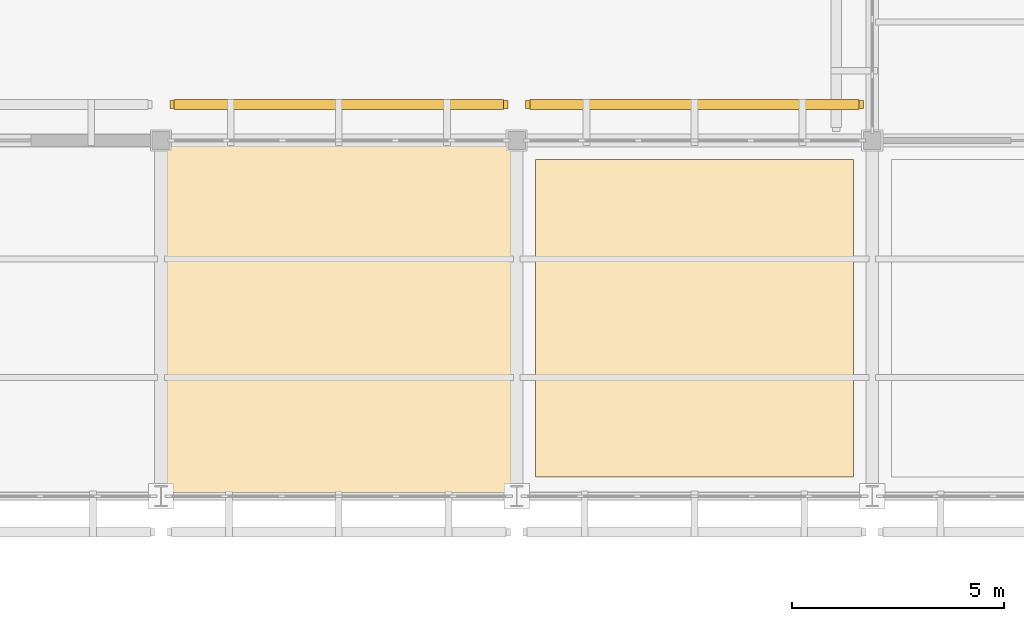
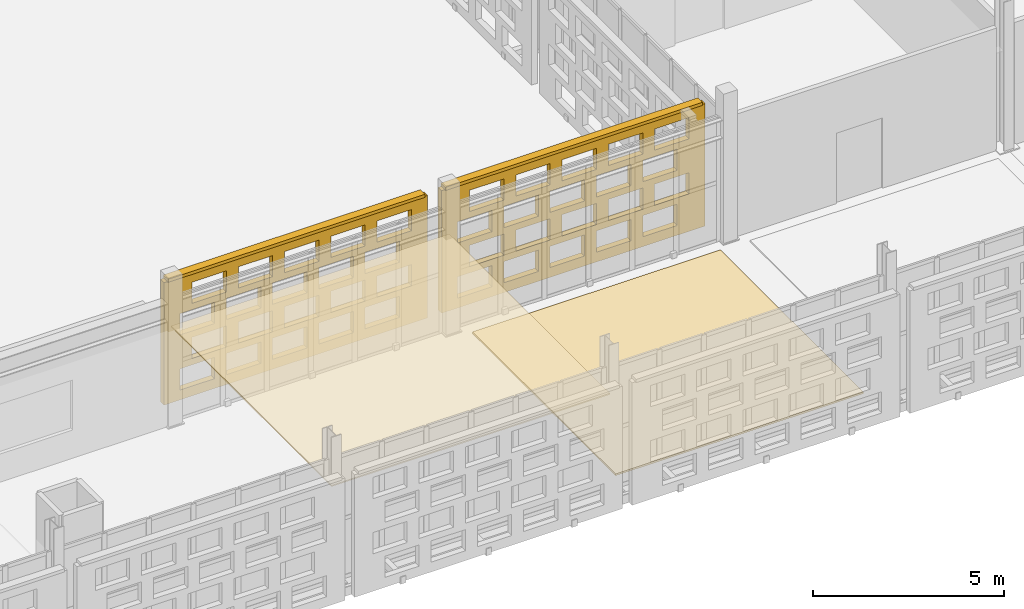
# One storey, part 174 of 203: 4 coverings, 2 shading devices, 40 openings.
"""IFC4 building model written with IfcOpenShell, lengths in metres."""

from ifc_helpers import new_model, si_unit, direction, frame, frame_2d, origin, origin_2d, place, context, subcontext, project, spatial, rectangle, extrude, material, layer, layer_set, type_object, element, save


model = new_model("IFC4")

# Units and contexts
model_context = context("Model", 3, precision=1e-05, world=origin(), true_north=direction((0.0, 1.0)))
body_context = subcontext(model_context, "Body", "Model", "MODEL_VIEW")
ifc_project = project(units=[si_unit("LENGTHUNIT", "METRE"), si_unit("AREAUNIT", "SQUARE_METRE"), si_unit("VOLUMEUNIT", "CUBIC_METRE"), si_unit("PLANEANGLEUNIT", "RADIAN"), si_unit("MASSUNIT", "GRAM", prefix="KILO")], contexts=[model_context])

# Site, building, storey
site_placement = place(None, origin())
site = spatial("IfcSite", under=ifc_project, at=site_placement, CompositionType="ELEMENT")
building_placement = place(site_placement, origin())
building = spatial("IfcBuilding", under=site, at=building_placement, Name="Varnapada Polytechnic", CompositionType="ELEMENT")
storey_placement = place(building_placement, frame((0.0, 0.0, 4.800048828125)))
storey = spatial("IfcBuildingStorey", under=building, at=storey_placement, Name="L01", CompositionType="ELEMENT", Elevation=4.800048828125)

# Coverings
ifc_material_1 = material(Name="End-Grain Timber Studio Block Flooring", Category="wood")
ifc_layer_1 = layer(ifc_material_1, 0.054931640625)
ifc_layer_set_1 = layer_set([ifc_layer_1], Name="End-Grain Timber Studio Block Flooring")
covering_type_1 = type_object("IfcCoveringType", Name="Floor Finish FLR-04", PredefinedType="FLOORING", material=ifc_layer_set_1)
covering_1_placement = place(storey_placement, frame((121.800048828125, 88.199951171875, 0.0), z_axis=(0.0, 0.0, 1.0), x_axis=(1.0, 0.0, 0.0)))
element("IfcCovering", 1, at=covering_1_placement, inside=storey, type_object=covering_type_1, Name="L01 floor finish panel (15,11)", PredefinedType="FLOORING", context=body_context, shape_type="SweptSolid", body=[
    extrude(rectangle(XDim=7.5, YDim=7.5, at=origin_2d()), origin(), (0.0, 0.0, 1.0), 0.054931640625),
])
ifc_material_2 = material(Name="Mineral Fibre Acoustic Ceiling Tile")
ifc_layer_2 = layer(ifc_material_2, 0.0400390625)
ifc_layer_set_2 = layer_set([ifc_layer_2], Name="Mineral Fibre Acoustic Ceiling Tile")
covering_type_2 = type_object("IfcCoveringType", Name="Suspended Ceiling CLG-01", PredefinedType="CEILING", material=ifc_layer_set_2)
covering_2_placement = place(storey_placement, frame((113.39990234375, 88.199951171875, 3.030029296875), z_axis=(0.0, 0.0, 1.0), x_axis=(1.0, 0.0, 0.0)))
element("IfcCovering", 2, at=covering_2_placement, inside=storey, type_object=covering_type_2, Name="L01 suspended acoustic ceiling (14,11)", PredefinedType="CEILING", context=body_context, shape_type="SweptSolid", body=[
    extrude(rectangle(XDim=8.419921875, YDim=8.419921875, at=origin_2d()), origin(), (0.0, 0.0, 1.0), 0.0400390625),
])

# Covering, openings
ifc_material_3 = material(Name="Earth-toned architectural terracotta screen block", Category="masonry")
ifc_layer_3 = layer(ifc_material_3, 0.1201171875)
ifc_layer_set_3 = layer_set([ifc_layer_3], Name="Earth-toned architectural terracotta screen block")
covering_type_3 = type_object("IfcCoveringType", Name="Terracotta Screen Cladding CLD-01", PredefinedType="CLADDING", material=ifc_layer_set_3)
covering_3_placement = place(storey_placement, frame((109.409912109375, 93.25, 0.0), z_axis=(0.0, 0.0, 1.0), x_axis=(1.0, 0.0, 0.0)))
covering_3 = element("IfcCovering", 3, at=covering_3_placement, inside=storey, type_object=covering_type_3, Name="L01 perforated terracotta block screen (93)", PredefinedType="CLADDING", context=body_context, shape_type="SweptSolid", body=[
    extrude(rectangle(XDim=7.97998046875, YDim=0.179931640625, at=frame_2d((3.989990234375, 0.0))), origin(), (0.0, 0.0, 1.0), 3.919921875),
])
opening_1_placement = place(covering_3_placement, frame((0.489990234375, 0.0, 0.313720703125)))
element("IfcOpeningElement", 4, at=opening_1_placement, cuts=covering_3, Name="Screen perforation TBS-L01-092.1", PredefinedType="OPENING", context=body_context, shape_type="SweptSolid", body=[
    extrude(rectangle(XDim=1.0400390625, YDim=0.679931640625, at=frame_2d((0.52001953125, 0.33984375))), frame((0.0, 0.099853515625, 0.0), z_axis=(0.0, -1.0, 0.0), x_axis=(1.0, 0.0, 0.0)), (0.0, 0.0, 1.0), 0.199951171875),
])
opening_2_placement = place(covering_3_placement, frame((1.889892578125, 0.0, 0.313720703125)))
element("IfcOpeningElement", 5, at=opening_2_placement, cuts=covering_3, Name="Screen perforation TBS-L01-092.2", PredefinedType="OPENING", context=body_context, shape_type="SweptSolid", body=[
    extrude(rectangle(XDim=1.0400390625, YDim=0.679931640625, at=frame_2d((0.52001953125, 0.33984375))), frame((0.0, 0.099853515625, 0.0), z_axis=(0.0, -1.0, 0.0), x_axis=(1.0, 0.0, 0.0)), (0.0, 0.0, 1.0), 0.199951171875),
])
opening_3_placement = place(covering_3_placement, frame((3.2900390625, 0.0, 0.313720703125)))
element("IfcOpeningElement", 6, at=opening_3_placement, cuts=covering_3, Name="Screen perforation TBS-L01-092.3", PredefinedType="OPENING", context=body_context, shape_type="SweptSolid", body=[
    extrude(rectangle(XDim=1.0400390625, YDim=0.679931640625, at=frame_2d((0.52001953125, 0.33984375))), frame((0.0, 0.099853515625, 0.0), z_axis=(0.0, -1.0, 0.0), x_axis=(1.0, 0.0, 0.0)), (0.0, 0.0, 1.0), 0.199951171875),
])
opening_4_placement = place(covering_3_placement, frame((4.68994140625, 0.0, 0.313720703125)))
element("IfcOpeningElement", 7, at=opening_4_placement, cuts=covering_3, Name="Screen perforation TBS-L01-092.4", PredefinedType="OPENING", context=body_context, shape_type="SweptSolid", body=[
    extrude(rectangle(XDim=1.0400390625, YDim=0.679931640625, at=frame_2d((0.52001953125, 0.33984375))), frame((0.0, 0.099853515625, 0.0), z_axis=(0.0, -1.0, 0.0), x_axis=(1.0, 0.0, 0.0)), (0.0, 0.0, 1.0), 0.199951171875),
])
opening_5_placement = place(covering_3_placement, frame((6.090087890625, 0.0, 0.313720703125)))
element("IfcOpeningElement", 8, at=opening_5_placement, cuts=covering_3, Name="Screen perforation TBS-L01-092.5", PredefinedType="OPENING", context=body_context, shape_type="SweptSolid", body=[
    extrude(rectangle(XDim=1.0400390625, YDim=0.679931640625, at=frame_2d((0.52001953125, 0.33984375))), frame((0.0, 0.099853515625, 0.0), z_axis=(0.0, -1.0, 0.0), x_axis=(1.0, 0.0, 0.0)), (0.0, 0.0, 1.0), 0.199951171875),
])
opening_6_placement = place(covering_3_placement, frame((0.85009765625, 0.0, 1.195556640625)))
element("IfcOpeningElement", 9, at=opening_6_placement, cuts=covering_3, Name="Screen perforation TBS-L01-092.6", PredefinedType="OPENING", context=body_context, shape_type="SweptSolid", body=[
    extrude(rectangle(XDim=1.0400390625, YDim=0.679931640625, at=frame_2d((0.52001953125, 0.33984375))), frame((0.0, 0.099853515625, 0.0), z_axis=(0.0, -1.0, 0.0), x_axis=(1.0, 0.0, 0.0)), (0.0, 0.0, 1.0), 0.199951171875),
])
opening_7_placement = place(covering_3_placement, frame((2.25, 0.0, 1.195556640625)))
element("IfcOpeningElement", 10, at=opening_7_placement, cuts=covering_3, Name="Screen perforation TBS-L01-092.7", PredefinedType="OPENING", context=body_context, shape_type="SweptSolid", body=[
    extrude(rectangle(XDim=1.0400390625, YDim=0.679931640625, at=frame_2d((0.52001953125, 0.33984375))), frame((0.0, 0.099853515625, 0.0), z_axis=(0.0, -1.0, 0.0), x_axis=(1.0, 0.0, 0.0)), (0.0, 0.0, 1.0), 0.199951171875),
])
opening_8_placement = place(covering_3_placement, frame((3.64990234375, 0.0, 1.195556640625)))
element("IfcOpeningElement", 11, at=opening_8_placement, cuts=covering_3, Name="Screen perforation TBS-L01-092.8", PredefinedType="OPENING", context=body_context, shape_type="SweptSolid", body=[
    extrude(rectangle(XDim=1.0400390625, YDim=0.679931640625, at=frame_2d((0.52001953125, 0.33984375))), frame((0.0, 0.099853515625, 0.0), z_axis=(0.0, -1.0, 0.0), x_axis=(1.0, 0.0, 0.0)), (0.0, 0.0, 1.0), 0.199951171875),
])
opening_9_placement = place(covering_3_placement, frame((5.050048828125, 0.0, 1.195556640625)))
element("IfcOpeningElement", 12, at=opening_9_placement, cuts=covering_3, Name="Screen perforation TBS-L01-092.9", PredefinedType="OPENING", context=body_context, shape_type="SweptSolid", body=[
    extrude(rectangle(XDim=1.0400390625, YDim=0.679931640625, at=frame_2d((0.52001953125, 0.33984375))), frame((0.0, 0.099853515625, 0.0), z_axis=(0.0, -1.0, 0.0), x_axis=(1.0, 0.0, 0.0)), (0.0, 0.0, 1.0), 0.199951171875),
])
opening_10_placement = place(covering_3_placement, frame((6.449951171875, 0.0, 1.195556640625)))
element("IfcOpeningElement", 13, at=opening_10_placement, cuts=covering_3, Name="Screen perforation TBS-L01-092.10", PredefinedType="OPENING", context=body_context, shape_type="SweptSolid", body=[
    extrude(rectangle(XDim=1.0400390625, YDim=0.679931640625, at=frame_2d((0.52001953125, 0.33984375))), frame((0.0, 0.099853515625, 0.0), z_axis=(0.0, -1.0, 0.0), x_axis=(1.0, 0.0, 0.0)), (0.0, 0.0, 1.0), 0.199951171875),
])
opening_11_placement = place(covering_3_placement, frame((0.489990234375, 0.0, 2.07763671875)))
element("IfcOpeningElement", 14, at=opening_11_placement, cuts=covering_3, Name="Screen perforation TBS-L01-092.11", PredefinedType="OPENING", context=body_context, shape_type="SweptSolid", body=[
    extrude(rectangle(XDim=1.0400390625, YDim=0.679931640625, at=frame_2d((0.52001953125, 0.33984375))), frame((0.0, 0.099853515625, 0.0), z_axis=(0.0, -1.0, 0.0), x_axis=(1.0, 0.0, 0.0)), (0.0, 0.0, 1.0), 0.199951171875),
])
opening_12_placement = place(covering_3_placement, frame((1.889892578125, 0.0, 2.07763671875)))
element("IfcOpeningElement", 15, at=opening_12_placement, cuts=covering_3, Name="Screen perforation TBS-L01-092.12", PredefinedType="OPENING", context=body_context, shape_type="SweptSolid", body=[
    extrude(rectangle(XDim=1.0400390625, YDim=0.679931640625, at=frame_2d((0.52001953125, 0.33984375))), frame((0.0, 0.099853515625, 0.0), z_axis=(0.0, -1.0, 0.0), x_axis=(1.0, 0.0, 0.0)), (0.0, 0.0, 1.0), 0.199951171875),
])
opening_13_placement = place(covering_3_placement, frame((3.2900390625, 0.0, 2.07763671875)))
element("IfcOpeningElement", 16, at=opening_13_placement, cuts=covering_3, Name="Screen perforation TBS-L01-092.13", PredefinedType="OPENING", context=body_context, shape_type="SweptSolid", body=[
    extrude(rectangle(XDim=1.0400390625, YDim=0.679931640625, at=frame_2d((0.52001953125, 0.33984375))), frame((0.0, 0.099853515625, 0.0), z_axis=(0.0, -1.0, 0.0), x_axis=(1.0, 0.0, 0.0)), (0.0, 0.0, 1.0), 0.199951171875),
])
opening_14_placement = place(covering_3_placement, frame((4.68994140625, 0.0, 2.07763671875)))
element("IfcOpeningElement", 17, at=opening_14_placement, cuts=covering_3, Name="Screen perforation TBS-L01-092.14", PredefinedType="OPENING", context=body_context, shape_type="SweptSolid", body=[
    extrude(rectangle(XDim=1.0400390625, YDim=0.679931640625, at=frame_2d((0.52001953125, 0.33984375))), frame((0.0, 0.099853515625, 0.0), z_axis=(0.0, -1.0, 0.0), x_axis=(1.0, 0.0, 0.0)), (0.0, 0.0, 1.0), 0.199951171875),
])
opening_15_placement = place(covering_3_placement, frame((6.090087890625, 0.0, 2.07763671875)))
element("IfcOpeningElement", 18, at=opening_15_placement, cuts=covering_3, Name="Screen perforation TBS-L01-092.15", PredefinedType="OPENING", context=body_context, shape_type="SweptSolid", body=[
    extrude(rectangle(XDim=1.0400390625, YDim=0.679931640625, at=frame_2d((0.52001953125, 0.33984375))), frame((0.0, 0.099853515625, 0.0), z_axis=(0.0, -1.0, 0.0), x_axis=(1.0, 0.0, 0.0)), (0.0, 0.0, 1.0), 0.199951171875),
])
opening_16_placement = place(covering_3_placement, frame((0.85009765625, 0.0, 2.959716796875)))
element("IfcOpeningElement", 19, at=opening_16_placement, cuts=covering_3, Name="Screen perforation TBS-L01-092.16", PredefinedType="OPENING", context=body_context, shape_type="SweptSolid", body=[
    extrude(rectangle(XDim=1.0400390625, YDim=0.679931640625, at=frame_2d((0.52001953125, 0.33984375))), frame((0.0, 0.099853515625, 0.0), z_axis=(0.0, -1.0, 0.0), x_axis=(1.0, 0.0, 0.0)), (0.0, 0.0, 1.0), 0.199951171875),
])
opening_17_placement = place(covering_3_placement, frame((2.25, 0.0, 2.959716796875)))
element("IfcOpeningElement", 20, at=opening_17_placement, cuts=covering_3, Name="Screen perforation TBS-L01-092.17", PredefinedType="OPENING", context=body_context, shape_type="SweptSolid", body=[
    extrude(rectangle(XDim=1.0400390625, YDim=0.679931640625, at=frame_2d((0.52001953125, 0.33984375))), frame((0.0, 0.099853515625, 0.0), z_axis=(0.0, -1.0, 0.0), x_axis=(1.0, 0.0, 0.0)), (0.0, 0.0, 1.0), 0.199951171875),
])
opening_18_placement = place(covering_3_placement, frame((3.64990234375, 0.0, 2.959716796875)))
element("IfcOpeningElement", 21, at=opening_18_placement, cuts=covering_3, Name="Screen perforation TBS-L01-092.18", PredefinedType="OPENING", context=body_context, shape_type="SweptSolid", body=[
    extrude(rectangle(XDim=1.0400390625, YDim=0.679931640625, at=frame_2d((0.52001953125, 0.33984375))), frame((0.0, 0.099853515625, 0.0), z_axis=(0.0, -1.0, 0.0), x_axis=(1.0, 0.0, 0.0)), (0.0, 0.0, 1.0), 0.199951171875),
])
opening_19_placement = place(covering_3_placement, frame((5.050048828125, 0.0, 2.959716796875)))
element("IfcOpeningElement", 22, at=opening_19_placement, cuts=covering_3, Name="Screen perforation TBS-L01-092.19", PredefinedType="OPENING", context=body_context, shape_type="SweptSolid", body=[
    extrude(rectangle(XDim=1.0400390625, YDim=0.679931640625, at=frame_2d((0.52001953125, 0.33984375))), frame((0.0, 0.099853515625, 0.0), z_axis=(0.0, -1.0, 0.0), x_axis=(1.0, 0.0, 0.0)), (0.0, 0.0, 1.0), 0.199951171875),
])
opening_20_placement = place(covering_3_placement, frame((6.449951171875, 0.0, 2.959716796875)))
element("IfcOpeningElement", 23, at=opening_20_placement, cuts=covering_3, Name="Screen perforation TBS-L01-092.20", PredefinedType="OPENING", context=body_context, shape_type="SweptSolid", body=[
    extrude(rectangle(XDim=1.0400390625, YDim=0.679931640625, at=frame_2d((0.52001953125, 0.33984375))), frame((0.0, 0.099853515625, 0.0), z_axis=(0.0, -1.0, 0.0), x_axis=(1.0, 0.0, 0.0)), (0.0, 0.0, 1.0), 0.199951171875),
])

covering_4_placement = place(storey_placement, frame((117.81005859375, 93.25, 0.0), z_axis=(0.0, 0.0, 1.0), x_axis=(1.0, 0.0, 0.0)))
covering_4 = element("IfcCovering", 24, at=covering_4_placement, inside=storey, type_object=covering_type_3, Name="L01 perforated terracotta block screen (99)", PredefinedType="CLADDING", context=body_context, shape_type="SweptSolid", body=[
    extrude(rectangle(XDim=7.97998046875, YDim=0.179931640625, at=frame_2d((3.989990234375, 0.0))), origin(), (0.0, 0.0, 1.0), 3.919921875),
])
opening_21_placement = place(covering_4_placement, frame((0.489990234375, 0.0, 0.313720703125)))
element("IfcOpeningElement", 25, at=opening_21_placement, cuts=covering_4, Name="Screen perforation TBS-L01-098.1", PredefinedType="OPENING", context=body_context, shape_type="SweptSolid", body=[
    extrude(rectangle(XDim=1.0400390625, YDim=0.679931640625, at=frame_2d((0.52001953125, 0.33984375))), frame((0.0, 0.099853515625, 0.0), z_axis=(0.0, -1.0, 0.0), x_axis=(1.0, 0.0, 0.0)), (0.0, 0.0, 1.0), 0.199951171875),
])
opening_22_placement = place(covering_4_placement, frame((1.889892578125, 0.0, 0.313720703125)))
element("IfcOpeningElement", 26, at=opening_22_placement, cuts=covering_4, Name="Screen perforation TBS-L01-098.2", PredefinedType="OPENING", context=body_context, shape_type="SweptSolid", body=[
    extrude(rectangle(XDim=1.0400390625, YDim=0.679931640625, at=frame_2d((0.52001953125, 0.33984375))), frame((0.0, 0.099853515625, 0.0), z_axis=(0.0, -1.0, 0.0), x_axis=(1.0, 0.0, 0.0)), (0.0, 0.0, 1.0), 0.199951171875),
])
opening_23_placement = place(covering_4_placement, frame((3.2900390625, 0.0, 0.313720703125)))
element("IfcOpeningElement", 27, at=opening_23_placement, cuts=covering_4, Name="Screen perforation TBS-L01-098.3", PredefinedType="OPENING", context=body_context, shape_type="SweptSolid", body=[
    extrude(rectangle(XDim=1.0400390625, YDim=0.679931640625, at=frame_2d((0.52001953125, 0.33984375))), frame((0.0, 0.099853515625, 0.0), z_axis=(0.0, -1.0, 0.0), x_axis=(1.0, 0.0, 0.0)), (0.0, 0.0, 1.0), 0.199951171875),
])
opening_24_placement = place(covering_4_placement, frame((4.68994140625, 0.0, 0.313720703125)))
element("IfcOpeningElement", 28, at=opening_24_placement, cuts=covering_4, Name="Screen perforation TBS-L01-098.4", PredefinedType="OPENING", context=body_context, shape_type="SweptSolid", body=[
    extrude(rectangle(XDim=1.0400390625, YDim=0.679931640625, at=frame_2d((0.52001953125, 0.33984375))), frame((0.0, 0.099853515625, 0.0), z_axis=(0.0, -1.0, 0.0), x_axis=(1.0, 0.0, 0.0)), (0.0, 0.0, 1.0), 0.199951171875),
])
opening_25_placement = place(covering_4_placement, frame((6.090087890625, 0.0, 0.313720703125)))
element("IfcOpeningElement", 29, at=opening_25_placement, cuts=covering_4, Name="Screen perforation TBS-L01-098.5", PredefinedType="OPENING", context=body_context, shape_type="SweptSolid", body=[
    extrude(rectangle(XDim=1.0400390625, YDim=0.679931640625, at=frame_2d((0.52001953125, 0.33984375))), frame((0.0, 0.099853515625, 0.0), z_axis=(0.0, -1.0, 0.0), x_axis=(1.0, 0.0, 0.0)), (0.0, 0.0, 1.0), 0.199951171875),
])
opening_26_placement = place(covering_4_placement, frame((0.85009765625, 0.0, 1.195556640625)))
element("IfcOpeningElement", 30, at=opening_26_placement, cuts=covering_4, Name="Screen perforation TBS-L01-098.6", PredefinedType="OPENING", context=body_context, shape_type="SweptSolid", body=[
    extrude(rectangle(XDim=1.0400390625, YDim=0.679931640625, at=frame_2d((0.52001953125, 0.33984375))), frame((0.0, 0.099853515625, 0.0), z_axis=(0.0, -1.0, 0.0), x_axis=(1.0, 0.0, 0.0)), (0.0, 0.0, 1.0), 0.199951171875),
])
opening_27_placement = place(covering_4_placement, frame((2.25, 0.0, 1.195556640625)))
element("IfcOpeningElement", 31, at=opening_27_placement, cuts=covering_4, Name="Screen perforation TBS-L01-098.7", PredefinedType="OPENING", context=body_context, shape_type="SweptSolid", body=[
    extrude(rectangle(XDim=1.0400390625, YDim=0.679931640625, at=frame_2d((0.52001953125, 0.33984375))), frame((0.0, 0.099853515625, 0.0), z_axis=(0.0, -1.0, 0.0), x_axis=(1.0, 0.0, 0.0)), (0.0, 0.0, 1.0), 0.199951171875),
])
opening_28_placement = place(covering_4_placement, frame((3.64990234375, 0.0, 1.195556640625)))
element("IfcOpeningElement", 32, at=opening_28_placement, cuts=covering_4, Name="Screen perforation TBS-L01-098.8", PredefinedType="OPENING", context=body_context, shape_type="SweptSolid", body=[
    extrude(rectangle(XDim=1.0400390625, YDim=0.679931640625, at=frame_2d((0.52001953125, 0.33984375))), frame((0.0, 0.099853515625, 0.0), z_axis=(0.0, -1.0, 0.0), x_axis=(1.0, 0.0, 0.0)), (0.0, 0.0, 1.0), 0.199951171875),
])
opening_29_placement = place(covering_4_placement, frame((5.050048828125, 0.0, 1.195556640625)))
element("IfcOpeningElement", 33, at=opening_29_placement, cuts=covering_4, Name="Screen perforation TBS-L01-098.9", PredefinedType="OPENING", context=body_context, shape_type="SweptSolid", body=[
    extrude(rectangle(XDim=1.0400390625, YDim=0.679931640625, at=frame_2d((0.52001953125, 0.33984375))), frame((0.0, 0.099853515625, 0.0), z_axis=(0.0, -1.0, 0.0), x_axis=(1.0, 0.0, 0.0)), (0.0, 0.0, 1.0), 0.199951171875),
])
opening_30_placement = place(covering_4_placement, frame((6.449951171875, 0.0, 1.195556640625)))
element("IfcOpeningElement", 34, at=opening_30_placement, cuts=covering_4, Name="Screen perforation TBS-L01-098.10", PredefinedType="OPENING", context=body_context, shape_type="SweptSolid", body=[
    extrude(rectangle(XDim=1.0400390625, YDim=0.679931640625, at=frame_2d((0.52001953125, 0.33984375))), frame((0.0, 0.099853515625, 0.0), z_axis=(0.0, -1.0, 0.0), x_axis=(1.0, 0.0, 0.0)), (0.0, 0.0, 1.0), 0.199951171875),
])
opening_31_placement = place(covering_4_placement, frame((0.489990234375, 0.0, 2.07763671875)))
element("IfcOpeningElement", 35, at=opening_31_placement, cuts=covering_4, Name="Screen perforation TBS-L01-098.11", PredefinedType="OPENING", context=body_context, shape_type="SweptSolid", body=[
    extrude(rectangle(XDim=1.0400390625, YDim=0.679931640625, at=frame_2d((0.52001953125, 0.33984375))), frame((0.0, 0.099853515625, 0.0), z_axis=(0.0, -1.0, 0.0), x_axis=(1.0, 0.0, 0.0)), (0.0, 0.0, 1.0), 0.199951171875),
])
opening_32_placement = place(covering_4_placement, frame((1.889892578125, 0.0, 2.07763671875)))
element("IfcOpeningElement", 36, at=opening_32_placement, cuts=covering_4, Name="Screen perforation TBS-L01-098.12", PredefinedType="OPENING", context=body_context, shape_type="SweptSolid", body=[
    extrude(rectangle(XDim=1.0400390625, YDim=0.679931640625, at=frame_2d((0.52001953125, 0.33984375))), frame((0.0, 0.099853515625, 0.0), z_axis=(0.0, -1.0, 0.0), x_axis=(1.0, 0.0, 0.0)), (0.0, 0.0, 1.0), 0.199951171875),
])
opening_33_placement = place(covering_4_placement, frame((3.2900390625, 0.0, 2.07763671875)))
element("IfcOpeningElement", 37, at=opening_33_placement, cuts=covering_4, Name="Screen perforation TBS-L01-098.13", PredefinedType="OPENING", context=body_context, shape_type="SweptSolid", body=[
    extrude(rectangle(XDim=1.0400390625, YDim=0.679931640625, at=frame_2d((0.52001953125, 0.33984375))), frame((0.0, 0.099853515625, 0.0), z_axis=(0.0, -1.0, 0.0), x_axis=(1.0, 0.0, 0.0)), (0.0, 0.0, 1.0), 0.199951171875),
])
opening_34_placement = place(covering_4_placement, frame((4.68994140625, 0.0, 2.07763671875)))
element("IfcOpeningElement", 38, at=opening_34_placement, cuts=covering_4, Name="Screen perforation TBS-L01-098.14", PredefinedType="OPENING", context=body_context, shape_type="SweptSolid", body=[
    extrude(rectangle(XDim=1.0400390625, YDim=0.679931640625, at=frame_2d((0.52001953125, 0.33984375))), frame((0.0, 0.099853515625, 0.0), z_axis=(0.0, -1.0, 0.0), x_axis=(1.0, 0.0, 0.0)), (0.0, 0.0, 1.0), 0.199951171875),
])
opening_35_placement = place(covering_4_placement, frame((6.090087890625, 0.0, 2.07763671875)))
element("IfcOpeningElement", 39, at=opening_35_placement, cuts=covering_4, Name="Screen perforation TBS-L01-098.15", PredefinedType="OPENING", context=body_context, shape_type="SweptSolid", body=[
    extrude(rectangle(XDim=1.0400390625, YDim=0.679931640625, at=frame_2d((0.52001953125, 0.33984375))), frame((0.0, 0.099853515625, 0.0), z_axis=(0.0, -1.0, 0.0), x_axis=(1.0, 0.0, 0.0)), (0.0, 0.0, 1.0), 0.199951171875),
])
opening_36_placement = place(covering_4_placement, frame((0.85009765625, 0.0, 2.959716796875)))
element("IfcOpeningElement", 40, at=opening_36_placement, cuts=covering_4, Name="Screen perforation TBS-L01-098.16", PredefinedType="OPENING", context=body_context, shape_type="SweptSolid", body=[
    extrude(rectangle(XDim=1.0400390625, YDim=0.679931640625, at=frame_2d((0.52001953125, 0.33984375))), frame((0.0, 0.099853515625, 0.0), z_axis=(0.0, -1.0, 0.0), x_axis=(1.0, 0.0, 0.0)), (0.0, 0.0, 1.0), 0.199951171875),
])
opening_37_placement = place(covering_4_placement, frame((2.25, 0.0, 2.959716796875)))
element("IfcOpeningElement", 41, at=opening_37_placement, cuts=covering_4, Name="Screen perforation TBS-L01-098.17", PredefinedType="OPENING", context=body_context, shape_type="SweptSolid", body=[
    extrude(rectangle(XDim=1.0400390625, YDim=0.679931640625, at=frame_2d((0.52001953125, 0.33984375))), frame((0.0, 0.099853515625, 0.0), z_axis=(0.0, -1.0, 0.0), x_axis=(1.0, 0.0, 0.0)), (0.0, 0.0, 1.0), 0.199951171875),
])
opening_38_placement = place(covering_4_placement, frame((3.64990234375, 0.0, 2.959716796875)))
element("IfcOpeningElement", 42, at=opening_38_placement, cuts=covering_4, Name="Screen perforation TBS-L01-098.18", PredefinedType="OPENING", context=body_context, shape_type="SweptSolid", body=[
    extrude(rectangle(XDim=1.0400390625, YDim=0.679931640625, at=frame_2d((0.52001953125, 0.33984375))), frame((0.0, 0.099853515625, 0.0), z_axis=(0.0, -1.0, 0.0), x_axis=(1.0, 0.0, 0.0)), (0.0, 0.0, 1.0), 0.199951171875),
])
opening_39_placement = place(covering_4_placement, frame((5.050048828125, 0.0, 2.959716796875)))
element("IfcOpeningElement", 43, at=opening_39_placement, cuts=covering_4, Name="Screen perforation TBS-L01-098.19", PredefinedType="OPENING", context=body_context, shape_type="SweptSolid", body=[
    extrude(rectangle(XDim=1.0400390625, YDim=0.679931640625, at=frame_2d((0.52001953125, 0.33984375))), frame((0.0, 0.099853515625, 0.0), z_axis=(0.0, -1.0, 0.0), x_axis=(1.0, 0.0, 0.0)), (0.0, 0.0, 1.0), 0.199951171875),
])
opening_40_placement = place(covering_4_placement, frame((6.449951171875, 0.0, 2.959716796875)))
element("IfcOpeningElement", 44, at=opening_40_placement, cuts=covering_4, Name="Screen perforation TBS-L01-098.20", PredefinedType="OPENING", context=body_context, shape_type="SweptSolid", body=[
    extrude(rectangle(XDim=1.0400390625, YDim=0.679931640625, at=frame_2d((0.52001953125, 0.33984375))), frame((0.0, 0.099853515625, 0.0), z_axis=(0.0, -1.0, 0.0), x_axis=(1.0, 0.0, 0.0)), (0.0, 0.0, 1.0), 0.199951171875),
])

# Shading devices
ifc_layer_4 = layer(ifc_material_3, 0.179931640625)
ifc_layer_set_4 = layer_set([ifc_layer_4], Name="Earth-toned architectural terracotta screen block")
shading_device_type = type_object("IfcShadingDeviceType", Name="Terracotta Screen SCR-02", PredefinedType="USERDEFINED", material=ifc_layer_set_4)
for number, where, z_axis, x_axis, name in (
    (45, (113.39990234375, 93.25, 3.909912109375), (0.0, 0.0, 1.0), (1.0, 0.0, 0.0), "L01 perforated terracotta screen hood 172"),
    (46, (121.800048828125, 93.25, 3.909912109375), (0.0, 0.0, 1.0), (1.0, 0.0, 0.0), "L01 perforated terracotta screen hood 178"),
):
    element("IfcShadingDevice", number, at=place(storey_placement, frame(where, z_axis=z_axis, x_axis=x_axis)), inside=storey, type_object=shading_device_type, Name=name, ObjectType="SCREEN", PredefinedType="USERDEFINED", context=body_context, shape_type="SweptSolid", body=[
        extrude(rectangle(XDim=7.780029296875, YDim=0.239990234375, at=origin_2d()), origin(), (0.0, 0.0, 1.0), 0.10009765625),
    ])

save(model, "model.ifc")
